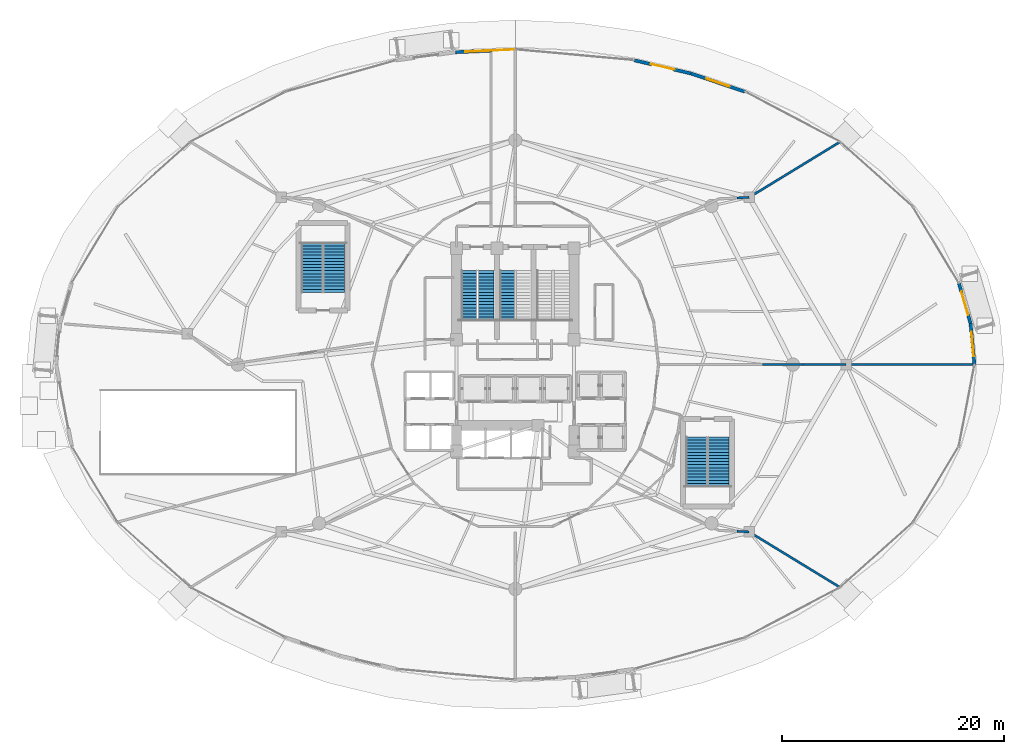
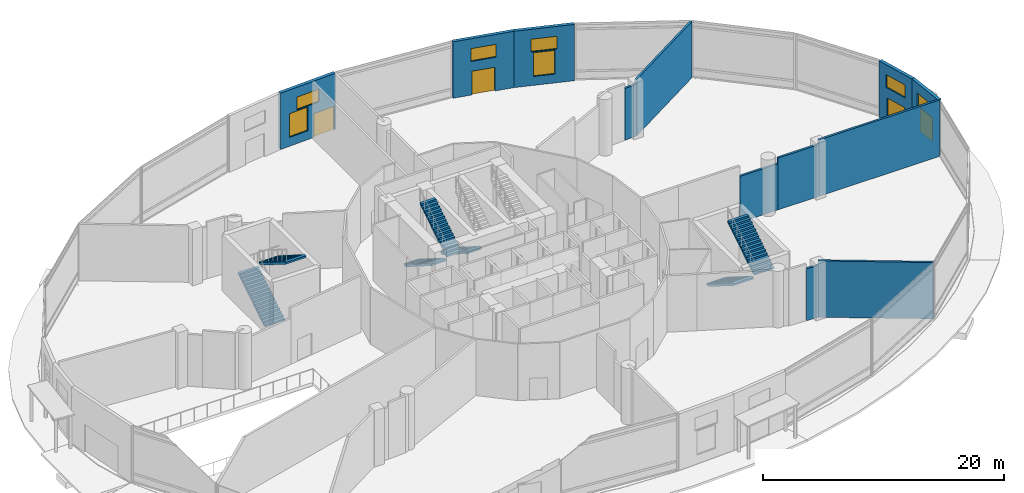
# One storey, part 35 of 40: 12 walls, 8 windows, 7 stair flights, 3 doors, 11 openings, 4 elements without a shape of their own.
"""IFC4 building model written with IfcOpenShell, lengths in metres."""

from ifc_helpers import new_model, si_unit, direction, frame, frame_2d, origin, place, context, subcontext, project, spatial, polyline, rectangle, outline, extrude, material, layer, layer_set, type_object, element, fill, aggregate, save


model = new_model("IFC4")

# Units and contexts
model_context = context("Model", 3, precision=1e-05, world=origin(), true_north=direction((0.0, 1.0)))
body_context = subcontext(model_context, "Body", "Model", "MODEL_VIEW")
ifc_project = project(units=[si_unit("LENGTHUNIT", "METRE"), si_unit("AREAUNIT", "SQUARE_METRE"), si_unit("VOLUMEUNIT", "CUBIC_METRE"), si_unit("PLANEANGLEUNIT", "RADIAN"), si_unit("MASSUNIT", "GRAM", prefix="KILO")], contexts=[model_context])

# Site, building, storey
site_placement = place(None, origin())
site = spatial("IfcSite", under=ifc_project, at=site_placement, CompositionType="ELEMENT")
building_placement = place(site_placement, origin())
building = spatial("IfcBuilding", under=site, at=building_placement, Name="Nuhasar Tower", CompositionType="ELEMENT")
storey_placement = place(building_placement, origin())
storey = spatial("IfcBuildingStorey", under=building, at=storey_placement, Name="L00", CompositionType="ELEMENT", Elevation=0.0)

# Wall, openings, windows
ifc_material_1 = material(Name="Concrete C45/55", Category="concrete")
ifc_layer_1 = layer(ifc_material_1, 0.239990234375)
ifc_material_2 = material(Name="Limestone Ashlar", Category="masonry")
ifc_layer_2 = layer(ifc_material_2, 0.06005859375)
ifc_layer_set_1 = layer_set([ifc_layer_1, ifc_layer_2], Name="Concrete C45/55")
wall_type_1 = type_object("IfcWallType", Name="WL-ARC-300", PredefinedType="STANDARD", material=ifc_layer_set_1)
wall_1_placement = place(storey_placement, frame((80.0849609375, 30.511962890625, 0.0), z_axis=(0.0, 0.0, 1.0), x_axis=(0.09519839492, -0.995458319371, 0.0)))
wall_1 = element("IfcWall", 1, at=wall_1_placement, inside=storey, type_object=wall_type_1, Name="L00 Limestone Arcade Spandrel Pier 01-1", PredefinedType="STANDARD", context=body_context, shape_type="SweptSolid", body=[
    extrude(rectangle(XDim=3.728759765625, YDim=0.300048828125, at=frame_2d((1.8642578125, 0.0))), origin(), (0.0, 0.0, 1.0), 5.699951171875),
])
opening_1_placement = place(wall_1_placement, frame((0.964111328125, 0.0, 0.89990234375)))
opening_1 = element("IfcOpeningElement", 2, at=opening_1_placement, cuts=wall_1, Name="Opening WX-01", PredefinedType="OPENING", context=body_context, shape_type="SweptSolid", body=[
    extrude(rectangle(XDim=1.800048828125, YDim=2.39990234375, at=frame_2d((0.89990234375, 1.199951171875))), frame((0.0, 0.16015625, 0.0), z_axis=(0.0, -1.0, 0.0), x_axis=(1.0, 0.0, 0.0)), (0.0, 0.0, 1.0), 0.320068359375),
])
opening_2_placement = place(wall_1_placement, frame((0.763916015625, 0.0, 3.39990234375)))
opening_2 = element("IfcOpeningElement", 3, at=opening_2_placement, cuts=wall_1, Name="Opening WX-03", PredefinedType="OPENING", context=body_context, shape_type="SweptSolid", body=[
    extrude(rectangle(XDim=2.199951171875, YDim=1.300048828125, at=frame_2d((1.10009765625, 0.64990234375))), frame((0.0, 0.16015625, 0.0), z_axis=(0.0, -1.0, 0.0), x_axis=(1.0, 0.0, 0.0)), (0.0, 0.0, 1.0), 0.320068359375),
])
ifc_material_3 = material(Name="Glass Double Low-E", Category="glass")
window_type_1 = type_object("IfcWindowType", Name="WIN-ARC-1800", PartitioningType="DOUBLE_PANEL_VERTICAL", PredefinedType="WINDOW", material=ifc_material_3)
window_1_placement = place(opening_1_placement, origin())
window_1 = element("IfcWindow", 4, at=window_1_placement, inside=storey, type_object=window_type_1, Name="L00 Arcade Vision Window 01", OverallHeight=2.39990234375, OverallWidth=1.800048828125, PartitioningType="DOUBLE_PANEL_VERTICAL", PredefinedType="WINDOW", context=body_context, shape_type="SweptSolid", body=[
    extrude(rectangle(XDim=1.800048828125, YDim=2.39990234375, at=frame_2d((0.89990234375, 1.199951171875))), frame((0.0, 0.030029296875, 0.0), z_axis=(0.0, -1.0, 0.0), x_axis=(1.0, 0.0, 0.0)), (0.0, 0.0, 1.0), 0.06005859375),
])
fill(opening_1, window_1)
window_type_2 = type_object("IfcWindowType", Name="WIN-CLER-2200", PartitioningType="DOUBLE_PANEL_HORIZONTAL", PredefinedType="WINDOW", material=ifc_material_3)
window_2_placement = place(opening_2_placement, origin())
window_2 = element("IfcWindow", 5, at=window_2_placement, inside=storey, type_object=window_type_2, Name="L00 Clerestory Light Window 01-1", OverallHeight=1.300048828125, OverallWidth=2.199951171875, PartitioningType="DOUBLE_PANEL_HORIZONTAL", PredefinedType="WINDOW", context=body_context, shape_type="SweptSolid", body=[
    extrude(rectangle(XDim=2.199951171875, YDim=1.300048828125, at=frame_2d((1.10009765625, 0.64990234375))), frame((0.0, 0.030029296875, 0.0), z_axis=(0.0, -1.0, 0.0), x_axis=(1.0, 0.0, 0.0)), (0.0, 0.0, 1.0), 0.06005859375),
])
fill(opening_2, window_2)

# Wall, openings, door, window
wall_2_placement = place(storey_placement, frame((79.028076171875, 34.160888671875, 0.0), z_axis=(0.0, 0.0, 1.0), x_axis=(0.278207876785, -0.960520888526, 0.0)))
wall_2 = element("IfcWall", 6, at=wall_2_placement, inside=storey, type_object=wall_type_1, Name="L00 Limestone Arcade Spandrel Pier 01-2", PredefinedType="STANDARD", context=body_context, shape_type="SweptSolid", body=[
    extrude(rectangle(XDim=3.798828125, YDim=0.300048828125, at=frame_2d((1.8994140625, 0.0))), origin(), (0.0, 0.0, 1.0), 5.699951171875),
])
opening_3_placement = place(wall_2_placement, frame((0.89990234375, 0.0, 0.0)))
opening_3 = element("IfcOpeningElement", 7, at=opening_3_placement, cuts=wall_2, Name="Opening DX-01", PredefinedType="OPENING", context=body_context, shape_type="SweptSolid", body=[
    extrude(rectangle(XDim=2.0, YDim=2.39990234375, at=frame_2d((1.0, 1.199951171875))), frame((0.0, 0.16015625, 0.0), z_axis=(0.0, -1.0, 0.0), x_axis=(1.0, 0.0, 0.0)), (0.0, 0.0, 1.0), 0.320068359375),
])
opening_4_placement = place(wall_2_placement, frame((0.800048828125, 0.0, 3.39990234375)))
opening_4 = element("IfcOpeningElement", 8, at=opening_4_placement, cuts=wall_2, Name="Opening WX-03", PredefinedType="OPENING", context=body_context, shape_type="SweptSolid", body=[
    extrude(rectangle(XDim=2.199951171875, YDim=1.300048828125, at=frame_2d((1.10009765625, 0.64990234375))), frame((0.0, 0.16015625, 0.0), z_axis=(0.0, -1.0, 0.0), x_axis=(1.0, 0.0, 0.0)), (0.0, 0.0, 1.0), 0.320068359375),
])
ifc_material_4 = material(Name="Aluminium 6063-T6", Category="aluminium")
door_type = type_object("IfcDoorType", Name="DR-EXT-2000", OperationType="DOUBLE_DOOR_SINGLE_SWING", PredefinedType="DOOR", material=ifc_material_4)
door_1_placement = place(opening_3_placement, origin())
door_1 = element("IfcDoor", 9, at=door_1_placement, inside=storey, type_object=door_type, Name="L00 Main Plaza Entrance Portal 01", OperationType="DOUBLE_DOOR_SINGLE_SWING", OverallHeight=2.39990234375, OverallWidth=2.0, PredefinedType="DOOR", context=body_context, shape_type="SweptSolid", body=[
    extrude(rectangle(XDim=2.0, YDim=2.39990234375, at=frame_2d((1.0, 1.199951171875))), frame((0.0, 0.02490234375, 0.0), z_axis=(0.0, -1.0, 0.0), x_axis=(1.0, 0.0, 0.0)), (0.0, 0.0, 1.0), 0.050048828125),
])
fill(opening_3, door_1)
window_3_placement = place(opening_4_placement, origin())
window_3 = element("IfcWindow", 10, at=window_3_placement, inside=storey, type_object=window_type_2, Name="L00 Clerestory Light Window 01-2", OverallHeight=1.300048828125, OverallWidth=2.199951171875, PartitioningType="DOUBLE_PANEL_HORIZONTAL", PredefinedType="WINDOW", context=body_context, shape_type="SweptSolid", body=[
    extrude(rectangle(XDim=2.199951171875, YDim=1.300048828125, at=frame_2d((1.10009765625, 0.64990234375))), frame((0.0, 0.030029296875, 0.0), z_axis=(0.0, -1.0, 0.0), x_axis=(1.0, 0.0, 0.0)), (0.0, 0.0, 1.0), 0.06005859375),
])
fill(opening_4, window_3)

# Wall, openings, windows
wall_3_placement = place(storey_placement, frame((54.85791015625, 53.074951171875, 0.0), z_axis=(0.0, 0.0, 1.0), x_axis=(0.947251518608, -0.320491123895, 0.0)))
wall_3 = element("IfcWall", 11, at=wall_3_placement, inside=storey, type_object=wall_type_1, Name="L00 Limestone Arcade Spandrel Pier 05-1", PredefinedType="STANDARD", context=body_context, shape_type="SweptSolid", body=[
    extrude(rectangle(XDim=5.1328125, YDim=0.300048828125, at=frame_2d((2.56640625, 0.0))), origin(), (0.0, 0.0, 1.0), 5.699951171875),
])
opening_5_placement = place(wall_3_placement, frame((1.666015625, 0.0, 0.89990234375)))
opening_5 = element("IfcOpeningElement", 12, at=opening_5_placement, cuts=wall_3, Name="Opening WX-01", PredefinedType="OPENING", context=body_context, shape_type="SweptSolid", body=[
    extrude(rectangle(XDim=1.800048828125, YDim=2.39990234375, at=frame_2d((0.89990234375, 1.199951171875))), frame((0.0, 0.16015625, 0.0), z_axis=(0.0, -1.0, 0.0), x_axis=(1.0, 0.0, 0.0)), (0.0, 0.0, 1.0), 0.320068359375),
])
opening_6_placement = place(wall_3_placement, frame((1.466064453125, 0.0, 3.39990234375)))
opening_6 = element("IfcOpeningElement", 13, at=opening_6_placement, cuts=wall_3, Name="Opening WX-03", PredefinedType="OPENING", context=body_context, shape_type="SweptSolid", body=[
    extrude(rectangle(XDim=2.199951171875, YDim=1.300048828125, at=frame_2d((1.10009765625, 0.64990234375))), frame((0.0, 0.16015625, 0.0), z_axis=(0.0, -1.0, 0.0), x_axis=(1.0, 0.0, 0.0)), (0.0, 0.0, 1.0), 0.320068359375),
])
window_4_placement = place(opening_5_placement, origin())
window_4 = element("IfcWindow", 14, at=window_4_placement, inside=storey, type_object=window_type_1, Name="L00 Arcade Vision Window 05", OverallHeight=2.39990234375, OverallWidth=1.800048828125, PartitioningType="DOUBLE_PANEL_VERTICAL", PredefinedType="WINDOW", context=body_context, shape_type="SweptSolid", body=[
    extrude(rectangle(XDim=1.800048828125, YDim=2.39990234375, at=frame_2d((0.89990234375, 1.199951171875))), frame((0.0, 0.030029296875, 0.0), z_axis=(0.0, -1.0, 0.0), x_axis=(1.0, 0.0, 0.0)), (0.0, 0.0, 1.0), 0.06005859375),
])
fill(opening_5, window_4)
window_5_placement = place(opening_6_placement, origin())
window_5 = element("IfcWindow", 15, at=window_5_placement, inside=storey, type_object=window_type_2, Name="L00 Clerestory Light Window 05-1", OverallHeight=1.300048828125, OverallWidth=2.199951171875, PartitioningType="DOUBLE_PANEL_HORIZONTAL", PredefinedType="WINDOW", context=body_context, shape_type="SweptSolid", body=[
    extrude(rectangle(XDim=2.199951171875, YDim=1.300048828125, at=frame_2d((1.10009765625, 0.64990234375))), frame((0.0, 0.030029296875, 0.0), z_axis=(0.0, -1.0, 0.0), x_axis=(1.0, 0.0, 0.0)), (0.0, 0.0, 1.0), 0.06005859375),
])
fill(opening_6, window_5)

# Wall, openings, door, window
wall_4_placement = place(storey_placement, frame((49.72509765625, 54.27099609375, 0.0), z_axis=(0.0, 0.0, 1.0), x_axis=(0.973908821588, -0.226939655487, 0.0)))
wall_4 = element("IfcWall", 16, at=wall_4_placement, inside=storey, type_object=wall_type_1, Name="L00 Limestone Arcade Spandrel Pier 05-2", PredefinedType="STANDARD", context=body_context, shape_type="SweptSolid", body=[
    extrude(rectangle(XDim=5.270263671875, YDim=0.300048828125, at=frame_2d((2.63525390625, 0.0))), origin(), (0.0, 0.0, 1.0), 5.699951171875),
])
opening_7_placement = place(wall_4_placement, frame((1.635009765625, 0.0, 0.0)))
opening_7 = element("IfcOpeningElement", 17, at=opening_7_placement, cuts=wall_4, Name="Opening DX-01", PredefinedType="OPENING", context=body_context, shape_type="SweptSolid", body=[
    extrude(rectangle(XDim=2.0, YDim=2.39990234375, at=frame_2d((1.0, 1.199951171875))), frame((0.0, 0.16015625, 0.0), z_axis=(0.0, -1.0, 0.0), x_axis=(1.0, 0.0, 0.0)), (0.0, 0.0, 1.0), 0.320068359375),
])
opening_8_placement = place(wall_4_placement, frame((1.534912109375, 0.0, 3.39990234375)))
opening_8 = element("IfcOpeningElement", 18, at=opening_8_placement, cuts=wall_4, Name="Opening WX-03", PredefinedType="OPENING", context=body_context, shape_type="SweptSolid", body=[
    extrude(rectangle(XDim=2.199951171875, YDim=1.300048828125, at=frame_2d((1.10009765625, 0.64990234375))), frame((0.0, 0.16015625, 0.0), z_axis=(0.0, -1.0, 0.0), x_axis=(1.0, 0.0, 0.0)), (0.0, 0.0, 1.0), 0.320068359375),
])
door_2_placement = place(opening_7_placement, origin())
door_2 = element("IfcDoor", 19, at=door_2_placement, inside=storey, type_object=door_type, Name="L00 Main Plaza Entrance Portal 05", OperationType="DOUBLE_DOOR_SINGLE_SWING", OverallHeight=2.39990234375, OverallWidth=2.0, PredefinedType="DOOR", context=body_context, shape_type="SweptSolid", body=[
    extrude(rectangle(XDim=2.0, YDim=2.39990234375, at=frame_2d((1.0, 1.199951171875))), frame((0.0, 0.02490234375, 0.0), z_axis=(0.0, -1.0, 0.0), x_axis=(1.0, 0.0, 0.0)), (0.0, 0.0, 1.0), 0.050048828125),
])
fill(opening_7, door_2)
window_6_placement = place(opening_8_placement, origin())
window_6 = element("IfcWindow", 20, at=window_6_placement, inside=storey, type_object=window_type_2, Name="L00 Clerestory Light Window 05-2", OverallHeight=1.300048828125, OverallWidth=2.199951171875, PartitioningType="DOUBLE_PANEL_HORIZONTAL", PredefinedType="WINDOW", context=body_context, shape_type="SweptSolid", body=[
    extrude(rectangle(XDim=2.199951171875, YDim=1.300048828125, at=frame_2d((1.10009765625, 0.64990234375))), frame((0.0, 0.030029296875, 0.0), z_axis=(0.0, -1.0, 0.0), x_axis=(1.0, 0.0, 0.0)), (0.0, 0.0, 1.0), 0.06005859375),
])
fill(opening_8, window_6)

# Wall, openings, door, windows
wall_5_placement = place(storey_placement, frame((33.591064453125, 54.9970703125, 0.0), z_axis=(0.0, 0.0, 1.0), x_axis=(0.998993030562, 0.044865631479, 0.0)))
wall_5 = element("IfcWall", 21, at=wall_5_placement, inside=storey, type_object=wall_type_1, Name="L00 Limestone Arcade Spandrel Pier 07-1", PredefinedType="STANDARD", context=body_context, shape_type="SweptSolid", body=[
    extrude(rectangle(XDim=5.414306640625, YDim=0.300048828125, at=frame_2d((2.70703125, 0.0))), origin(), (0.0, 0.0, 1.0), 5.699951171875),
])
opening_9_placement = place(wall_5_placement, frame((0.89990234375, 0.0, 0.89990234375)))
opening_9 = element("IfcOpeningElement", 22, at=opening_9_placement, cuts=wall_5, Name="Opening WX-01", PredefinedType="OPENING", context=body_context, shape_type="SweptSolid", body=[
    extrude(rectangle(XDim=1.800048828125, YDim=2.39990234375, at=frame_2d((0.89990234375, 1.199951171875))), frame((0.0, 0.16015625, 0.0), z_axis=(0.0, -1.0, 0.0), x_axis=(1.0, 0.0, 0.0)), (0.0, 0.0, 1.0), 0.320068359375),
])
opening_10_placement = place(wall_5_placement, frame((3.31201171875, 0.0, 0.0)))
opening_10 = element("IfcOpeningElement", 23, at=opening_10_placement, cuts=wall_5, Name="Opening DX-01", PredefinedType="OPENING", context=body_context, shape_type="SweptSolid", body=[
    extrude(rectangle(XDim=2.0, YDim=2.39990234375, at=frame_2d((1.0, 1.199951171875))), frame((0.0, 0.16015625, 0.0), z_axis=(0.0, -1.0, 0.0), x_axis=(1.0, 0.0, 0.0)), (0.0, 0.0, 1.0), 0.320068359375),
])
opening_11_placement = place(wall_5_placement, frame((1.60693359375, 0.0, 3.39990234375)))
opening_11 = element("IfcOpeningElement", 24, at=opening_11_placement, cuts=wall_5, Name="Opening WX-03", PredefinedType="OPENING", context=body_context, shape_type="SweptSolid", body=[
    extrude(rectangle(XDim=2.199951171875, YDim=1.300048828125, at=frame_2d((1.10009765625, 0.64990234375))), frame((0.0, 0.16015625, 0.0), z_axis=(0.0, -1.0, 0.0), x_axis=(1.0, 0.0, 0.0)), (0.0, 0.0, 1.0), 0.320068359375),
])
door_3_placement = place(opening_10_placement, origin())
door_3 = element("IfcDoor", 25, at=door_3_placement, inside=storey, type_object=door_type, Name="L00 North Exit Passage Discharge Door", OperationType="DOUBLE_DOOR_SINGLE_SWING", OverallHeight=2.39990234375, OverallWidth=2.0, PredefinedType="DOOR", context=body_context, shape_type="SweptSolid", body=[
    extrude(rectangle(XDim=2.0, YDim=2.39990234375, at=frame_2d((1.0, 1.199951171875))), frame((0.0, 0.02490234375, 0.0), z_axis=(0.0, -1.0, 0.0), x_axis=(1.0, 0.0, 0.0)), (0.0, 0.0, 1.0), 0.050048828125),
])
fill(opening_10, door_3)
window_7_placement = place(opening_9_placement, origin())
window_7 = element("IfcWindow", 26, at=window_7_placement, inside=storey, type_object=window_type_1, Name="L00 Arcade Vision Window 07", OverallHeight=2.39990234375, OverallWidth=1.800048828125, PartitioningType="DOUBLE_PANEL_VERTICAL", PredefinedType="WINDOW", context=body_context, shape_type="SweptSolid", body=[
    extrude(rectangle(XDim=1.800048828125, YDim=2.39990234375, at=frame_2d((0.89990234375, 1.199951171875))), frame((0.0, 0.030029296875, 0.0), z_axis=(0.0, -1.0, 0.0), x_axis=(1.0, 0.0, 0.0)), (0.0, 0.0, 1.0), 0.06005859375),
])
fill(opening_9, window_7)
window_8_placement = place(opening_11_placement, origin())
window_8 = element("IfcWindow", 27, at=window_8_placement, inside=storey, type_object=window_type_2, Name="L00 Clerestory Light Window 07-1", OverallHeight=1.300048828125, OverallWidth=2.199951171875, PartitioningType="DOUBLE_PANEL_HORIZONTAL", PredefinedType="WINDOW", context=body_context, shape_type="SweptSolid", body=[
    extrude(rectangle(XDim=2.199951171875, YDim=1.300048828125, at=frame_2d((1.10009765625, 0.64990234375))), frame((0.0, 0.030029296875, 0.0), z_axis=(0.0, -1.0, 0.0), x_axis=(1.0, 0.0, 0.0)), (0.0, 0.0, 1.0), 0.06005859375),
])
fill(opening_11, window_8)

# Walls
ifc_material_5 = material(Name="Concrete C40/50 precast", Category="concrete")
ifc_layer_3 = layer(ifc_material_5, 0.199951171875)
ifc_layer_set_2 = layer_set([ifc_layer_3], Name="Concrete C40/50 precast")
wall_type_2 = type_object("IfcWallType", Name="WL-UNIT-200", PredefinedType="PARTITIONING", material=ifc_layer_set_2)
wall_6_placement = place(storey_placement, frame((61.31689453125, 26.800048828125, 0.0), z_axis=(0.0, 0.0, 1.0), x_axis=(1.0, 0.0, 0.0)))
element("IfcWall", 28, at=wall_6_placement, inside=storey, type_object=wall_type_2, Name="L00 Interior Partition PRAD-00-S2", PredefinedType="PARTITIONING", context=body_context, shape_type="SweptSolid", body=[
    extrude(rectangle(XDim=3.633056640625, YDim=0.199951171875, at=frame_2d((1.81640625, 0.0))), origin(), (0.0, 0.0, 1.0), 4.659912109375),
])
wall_7_placement = place(storey_placement, frame((64.949951171875, 26.800048828125, 0.0), z_axis=(0.0, 0.0, 1.0), x_axis=(1.0, 0.0, 0.0)))
element("IfcWall", 29, at=wall_7_placement, inside=storey, type_object=wall_type_2, Name="L00 Interior Partition PRAD-00-S3", PredefinedType="PARTITIONING", context=body_context, shape_type="SweptSolid", body=[
    extrude(rectangle(XDim=3.900146484375, YDim=0.199951171875, at=frame_2d((1.9501953125, 0.0))), origin(), (0.0, 0.0, 1.0), 5.239990234375),
])
wall_8_placement = place(storey_placement, frame((68.85009765625, 26.800048828125, 0.0), z_axis=(0.0, 0.0, 1.0), x_axis=(1.0, 0.0, 0.0)))
element("IfcWall", 30, at=wall_8_placement, inside=storey, type_object=wall_type_2, Name="L00 Interior Partition PRAD-00-S4", PredefinedType="PARTITIONING", context=body_context, shape_type="SweptSolid", body=[
    extrude(rectangle(XDim=11.554931640625, YDim=0.199951171875, at=frame_2d((5.77734375, 0.0))), origin(), (0.0, 0.0, 1.0), 5.699951171875),
])
wall_9_placement = place(storey_placement, frame((58.989990234375, 41.839111328125, 0.0), z_axis=(0.0, 0.0, 1.0), x_axis=(0.998660904733, 0.051733909163, 0.0)))
element("IfcWall", 31, at=wall_9_placement, inside=storey, type_object=wall_type_2, Name="L00 Interior Partition PRAD-06-S2", PredefinedType="PARTITIONING", context=body_context, shape_type="SweptSolid", body=[
    extrude(rectangle(XDim=1.118408203125, YDim=0.199951171875, at=frame_2d((0.55908203125, 0.0))), origin(), (0.0, 0.0, 1.0), 5.239990234375),
])
wall_10_placement = place(storey_placement, frame((60.10693359375, 41.89697265625, 0.0), z_axis=(0.0, 0.0, 1.0), x_axis=(0.853534520774, 0.521036296093, 0.0)))
element("IfcWall", 32, at=wall_10_placement, inside=storey, type_object=wall_type_2, Name="L00 Interior Partition PRAD-06-S3", PredefinedType="PARTITIONING", context=body_context, shape_type="SweptSolid", body=[
    extrude(rectangle(XDim=9.5732421875, YDim=0.199951171875, at=frame_2d((4.78662109375, 0.0))), origin(), (0.0, 0.0, 1.0), 5.699951171875),
])
wall_11_placement = place(storey_placement, frame((58.989990234375, 11.760986328125, 0.0), z_axis=(0.0, 0.0, 1.0), x_axis=(0.998649603439, -0.051951607785, 0.0)))
element("IfcWall", 33, at=wall_11_placement, inside=storey, type_object=wall_type_2, Name="L00 Interior Partition PRAD-42-S3", PredefinedType="PARTITIONING", context=body_context, shape_type="SweptSolid", body=[
    extrude(rectangle(XDim=1.118408203125, YDim=0.199951171875, at=frame_2d((0.55908203125, 0.0))), origin(), (0.0, 0.0, 1.0), 5.239990234375),
])
wall_12_placement = place(storey_placement, frame((60.10693359375, 11.702880859375, 0.0), z_axis=(0.0, 0.0, 1.0), x_axis=(0.853545862143, -0.5210177168, 0.0)))
element("IfcWall", 34, at=wall_12_placement, inside=storey, type_object=wall_type_2, Name="L00 Interior Partition PRAD-42-S4", PredefinedType="PARTITIONING", context=body_context, shape_type="SweptSolid", body=[
    extrude(rectangle(XDim=9.5732421875, YDim=0.199951171875, at=frame_2d((4.78662109375, 0.0))), origin(), (0.0, 0.0, 1.0), 5.699951171875),
])

# Stair, stair flights
stair_type_1 = type_object("IfcStairType", Name="STR-ST-01-2F-34R-1765", PredefinedType="HALF_TURN_STAIR", material=ifc_material_1)
stair_1_placement = place(storey_placement, origin())
stair_1 = element("IfcStair", 35, at=stair_1_placement, inside=storey, type_object=stair_type_1, Name="L00 Exit Stair ST-01", PredefinedType="HALF_TURN_STAIR")
stair_flight_type_1 = type_object("IfcStairFlightType", Name="SFL-ST-01-17R-1765", PredefinedType="STRAIGHT", material=ifc_material_1)
stair_flight_1_placement = place(storey_placement, frame((34.830078125, 35.284912109375, 0.0), z_axis=(0.0, 0.0, 1.0), x_axis=(0.0, -1.0, 0.0)))
stair_flight_1 = element("IfcStairFlight", 36, at=stair_flight_1_placement, type_object=stair_flight_type_1, Name="ST-01 flight 1", NumberOfRisers=17, NumberOfTreads=16, PredefinedType="STRAIGHT", RiserHeight=0.176471, TreadLength=0.28, context=body_context, shape_type="SweptSolid", body=[
    extrude(outline(polyline([(0.0, 0.0), (0.0, 0.176513671875), (0.280029296875, 0.176513671875), (0.280029296875, 0.35302734375), (0.56005859375, 0.35302734375), (0.56005859375, 0.529296875), (0.840087890625, 0.529296875), (0.840087890625, 0.705810546875), (1.1201171875, 0.705810546875), (1.1201171875, 0.88232421875), (1.39990234375, 0.88232421875), (1.39990234375, 1.058837890625), (1.679931640625, 1.058837890625), (1.679931640625, 1.2353515625), (1.9599609375, 1.2353515625), (1.9599609375, 1.411865234375), (2.239990234375, 1.411865234375), (2.239990234375, 1.588134765625), (2.52001953125, 1.588134765625), (2.52001953125, 1.7646484375), (2.800048828125, 1.7646484375), (2.800048828125, 1.941162109375), (3.080078125, 1.941162109375), (3.080078125, 2.11767578125), (3.360107421875, 2.11767578125), (3.360107421875, 2.294189453125), (3.639892578125, 2.294189453125), (3.639892578125, 2.470703125), (3.919921875, 2.470703125), (3.919921875, 2.64697265625), (4.199951171875, 2.64697265625), (4.199951171875, 2.823486328125), (4.47998046875, 2.823486328125), (4.47998046875, 3.0), (4.47998046875, 2.634521484375), (0.2998046875, 0.0), (0.0, 0.0)])), frame((0.0, 0.7099609375, 0.0), z_axis=(0.0, -1.0, 0.0), x_axis=(1.0, 0.0, 0.0)), (0.0, 0.0, 1.0), 1.419921875),
])
stair_flight_2_placement = place(storey_placement, frame((36.35009765625, 30.804931640625, 3.0), z_axis=(0.0, 0.0, 1.0), x_axis=(0.0, 1.0, 0.0)))
stair_flight_2 = element("IfcStairFlight", 37, at=stair_flight_2_placement, type_object=stair_flight_type_1, Name="ST-01 flight 2", NumberOfRisers=17, NumberOfTreads=16, PredefinedType="STRAIGHT", RiserHeight=0.176471, TreadLength=0.28, context=body_context, shape_type="SweptSolid", body=[
    extrude(outline(polyline([(0.0, 0.0), (0.0, 0.176513671875), (0.280029296875, 0.176513671875), (0.280029296875, 0.35302734375), (0.56005859375, 0.35302734375), (0.56005859375, 0.529296875), (0.840087890625, 0.529296875), (0.840087890625, 0.705810546875), (1.1201171875, 0.705810546875), (1.1201171875, 0.88232421875), (1.39990234375, 0.88232421875), (1.39990234375, 1.058837890625), (1.679931640625, 1.058837890625), (1.679931640625, 1.2353515625), (1.9599609375, 1.2353515625), (1.9599609375, 1.411865234375), (2.239990234375, 1.411865234375), (2.239990234375, 1.588134765625), (2.52001953125, 1.588134765625), (2.52001953125, 1.7646484375), (2.800048828125, 1.7646484375), (2.800048828125, 1.941162109375), (3.080078125, 1.941162109375), (3.080078125, 2.11767578125), (3.360107421875, 2.11767578125), (3.360107421875, 2.294189453125), (3.639892578125, 2.294189453125), (3.639892578125, 2.470703125), (3.919921875, 2.470703125), (3.919921875, 2.64697265625), (4.199951171875, 2.64697265625), (4.199951171875, 2.823486328125), (4.47998046875, 2.823486328125), (4.47998046875, 3.0), (4.47998046875, 2.634521484375), (0.2998046875, 0.0), (0.0, 0.0)])), frame((0.0, 0.7099609375, 0.0), z_axis=(0.0, -1.0, 0.0), x_axis=(1.0, 0.0, 0.0)), (0.0, 0.0, 1.0), 1.419921875),
])
aggregate(stair_1, [stair_flight_1, stair_flight_2])

# Stair, stair flight
stair_type_2 = type_object("IfcStairType", Name="STR-ST-03-2F-34R-1765", PredefinedType="HALF_TURN_STAIR", material=ifc_material_1)
stair_2_placement = place(storey_placement, origin())
stair_2 = element("IfcStair", 38, at=stair_2_placement, inside=storey, type_object=stair_type_2, Name="L00 Exit Stair ST-03", PredefinedType="HALF_TURN_STAIR")
stair_flight_type_2 = type_object("IfcStairFlightType", Name="SFL-ST-03-17R-1765", PredefinedType="STRAIGHT", material=ifc_material_1)
stair_flight_3_placement = place(storey_placement, frame((38.280029296875, 35.284912109375, 0.0), z_axis=(0.0, 0.0, 1.0), x_axis=(0.0, -1.0, 0.0)))
stair_flight_3 = element("IfcStairFlight", 39, at=stair_flight_3_placement, type_object=stair_flight_type_2, Name="ST-03 flight 1", NumberOfRisers=17, NumberOfTreads=16, PredefinedType="STRAIGHT", RiserHeight=0.176471, TreadLength=0.28, context=body_context, shape_type="SweptSolid", body=[
    extrude(outline(polyline([(0.0, 0.0), (0.0, 0.176513671875), (0.280029296875, 0.176513671875), (0.280029296875, 0.35302734375), (0.56005859375, 0.35302734375), (0.56005859375, 0.529296875), (0.840087890625, 0.529296875), (0.840087890625, 0.705810546875), (1.1201171875, 0.705810546875), (1.1201171875, 0.88232421875), (1.39990234375, 0.88232421875), (1.39990234375, 1.058837890625), (1.679931640625, 1.058837890625), (1.679931640625, 1.2353515625), (1.9599609375, 1.2353515625), (1.9599609375, 1.411865234375), (2.239990234375, 1.411865234375), (2.239990234375, 1.588134765625), (2.52001953125, 1.588134765625), (2.52001953125, 1.7646484375), (2.800048828125, 1.7646484375), (2.800048828125, 1.941162109375), (3.080078125, 1.941162109375), (3.080078125, 2.11767578125), (3.360107421875, 2.11767578125), (3.360107421875, 2.294189453125), (3.639892578125, 2.294189453125), (3.639892578125, 2.470703125), (3.919921875, 2.470703125), (3.919921875, 2.64697265625), (4.199951171875, 2.64697265625), (4.199951171875, 2.823486328125), (4.47998046875, 2.823486328125), (4.47998046875, 3.0), (4.47998046875, 2.634521484375), (0.2998046875, 0.0), (0.0, 0.0)])), frame((0.0, 0.669921875, 0.0), z_axis=(0.0, -1.0, 0.0), x_axis=(1.0, 0.0, 0.0)), (0.0, 0.0, 1.0), 1.340087890625),
])
aggregate(stair_2, [stair_flight_3])

# Stair, stair flights
stair_type_3 = type_object("IfcStairType", Name="STR-ST-04-2F-34R-1765", PredefinedType="HALF_TURN_STAIR", material=ifc_material_1)
stair_3_placement = place(storey_placement, origin())
stair_3 = element("IfcStair", 40, at=stair_3_placement, inside=storey, type_object=stair_type_3, Name="L00 Exit Stair ST-04", PredefinedType="HALF_TURN_STAIR")
stair_flight_type_3 = type_object("IfcStairFlightType", Name="SFL-ST-04-17R-1765", PredefinedType="STRAIGHT", material=ifc_material_1)
stair_flight_4_placement = place(storey_placement, frame((20.64990234375, 33.31494140625, 0.0), z_axis=(0.0, 0.0, 1.0), x_axis=(0.0, 1.0, 0.0)))
stair_flight_4 = element("IfcStairFlight", 41, at=stair_flight_4_placement, type_object=stair_flight_type_3, Name="ST-04 flight 1", NumberOfRisers=17, NumberOfTreads=16, PredefinedType="STRAIGHT", RiserHeight=0.176471, TreadLength=0.28, context=body_context, shape_type="SweptSolid", body=[
    extrude(outline(polyline([(0.0, 0.0), (0.0, 0.176513671875), (0.280029296875, 0.176513671875), (0.280029296875, 0.35302734375), (0.56005859375, 0.35302734375), (0.56005859375, 0.529296875), (0.840087890625, 0.529296875), (0.840087890625, 0.705810546875), (1.1201171875, 0.705810546875), (1.1201171875, 0.88232421875), (1.39990234375, 0.88232421875), (1.39990234375, 1.058837890625), (1.679931640625, 1.058837890625), (1.679931640625, 1.2353515625), (1.9599609375, 1.2353515625), (1.9599609375, 1.411865234375), (2.239990234375, 1.411865234375), (2.239990234375, 1.588134765625), (2.52001953125, 1.588134765625), (2.52001953125, 1.7646484375), (2.800048828125, 1.7646484375), (2.800048828125, 1.941162109375), (3.080078125, 1.941162109375), (3.080078125, 2.11767578125), (3.360107421875, 2.11767578125), (3.360107421875, 2.294189453125), (3.639892578125, 2.294189453125), (3.639892578125, 2.470703125), (3.919921875, 2.470703125), (3.919921875, 2.64697265625), (4.199951171875, 2.64697265625), (4.199951171875, 2.823486328125), (4.47998046875, 2.823486328125), (4.47998046875, 3.0), (4.47998046875, 2.634521484375), (0.2998046875, 0.0), (0.0, 0.0)])), frame((0.0, 0.949951171875, 0.0), z_axis=(0.0, -1.0, 0.0), x_axis=(1.0, 0.0, 0.0)), (0.0, 0.0, 1.0), 1.89990234375),
])
stair_flight_5_placement = place(storey_placement, frame((22.64990234375, 37.794921875, 3.0), z_axis=(0.0, 0.0, 1.0), x_axis=(0.0, -1.0, 0.0)))
stair_flight_5 = element("IfcStairFlight", 42, at=stair_flight_5_placement, type_object=stair_flight_type_3, Name="ST-04 flight 2", NumberOfRisers=17, NumberOfTreads=16, PredefinedType="STRAIGHT", RiserHeight=0.176471, TreadLength=0.28, context=body_context, shape_type="SweptSolid", body=[
    extrude(outline(polyline([(0.0, 0.0), (0.0, 0.176513671875), (0.280029296875, 0.176513671875), (0.280029296875, 0.35302734375), (0.56005859375, 0.35302734375), (0.56005859375, 0.529296875), (0.840087890625, 0.529296875), (0.840087890625, 0.705810546875), (1.1201171875, 0.705810546875), (1.1201171875, 0.88232421875), (1.39990234375, 0.88232421875), (1.39990234375, 1.058837890625), (1.679931640625, 1.058837890625), (1.679931640625, 1.2353515625), (1.9599609375, 1.2353515625), (1.9599609375, 1.411865234375), (2.239990234375, 1.411865234375), (2.239990234375, 1.588134765625), (2.52001953125, 1.588134765625), (2.52001953125, 1.7646484375), (2.800048828125, 1.7646484375), (2.800048828125, 1.941162109375), (3.080078125, 1.941162109375), (3.080078125, 2.11767578125), (3.360107421875, 2.11767578125), (3.360107421875, 2.294189453125), (3.639892578125, 2.294189453125), (3.639892578125, 2.470703125), (3.919921875, 2.470703125), (3.919921875, 2.64697265625), (4.199951171875, 2.64697265625), (4.199951171875, 2.823486328125), (4.47998046875, 2.823486328125), (4.47998046875, 3.0), (4.47998046875, 2.634521484375), (0.2998046875, 0.0), (0.0, 0.0)])), frame((0.0, 0.949951171875, 0.0), z_axis=(0.0, -1.0, 0.0), x_axis=(1.0, 0.0, 0.0)), (0.0, 0.0, 1.0), 1.89990234375),
])
aggregate(stair_3, [stair_flight_4, stair_flight_5])

stair_type_4 = type_object("IfcStairType", Name="STR-ST-05-2F-34R-1765", PredefinedType="HALF_TURN_STAIR", material=ifc_material_1)
stair_4_placement = place(storey_placement, origin())
stair_4 = element("IfcStair", 43, at=stair_4_placement, inside=storey, type_object=stair_type_4, Name="L00 Exit Stair ST-05", PredefinedType="HALF_TURN_STAIR")
stair_flight_type_4 = type_object("IfcStairFlightType", Name="SFL-ST-05-17R-1765", PredefinedType="STRAIGHT", material=ifc_material_1)
stair_flight_6_placement = place(storey_placement, frame((55.35009765625, 20.284912109375, 0.0), z_axis=(0.0, 0.0, 1.0), x_axis=(0.0, -1.0, 0.0)))
stair_flight_6 = element("IfcStairFlight", 44, at=stair_flight_6_placement, type_object=stair_flight_type_4, Name="ST-05 flight 1", NumberOfRisers=17, NumberOfTreads=16, PredefinedType="STRAIGHT", RiserHeight=0.176471, TreadLength=0.28, context=body_context, shape_type="SweptSolid", body=[
    extrude(outline(polyline([(0.0, 0.0), (0.0, 0.176513671875), (0.280029296875, 0.176513671875), (0.280029296875, 0.35302734375), (0.56005859375, 0.35302734375), (0.56005859375, 0.529296875), (0.840087890625, 0.529296875), (0.840087890625, 0.705810546875), (1.1201171875, 0.705810546875), (1.1201171875, 0.88232421875), (1.39990234375, 0.88232421875), (1.39990234375, 1.058837890625), (1.679931640625, 1.058837890625), (1.679931640625, 1.2353515625), (1.9599609375, 1.2353515625), (1.9599609375, 1.411865234375), (2.239990234375, 1.411865234375), (2.239990234375, 1.588134765625), (2.52001953125, 1.588134765625), (2.52001953125, 1.7646484375), (2.800048828125, 1.7646484375), (2.800048828125, 1.941162109375), (3.080078125, 1.941162109375), (3.080078125, 2.11767578125), (3.360107421875, 2.11767578125), (3.360107421875, 2.294189453125), (3.639892578125, 2.294189453125), (3.639892578125, 2.470703125), (3.919921875, 2.470703125), (3.919921875, 2.64697265625), (4.199951171875, 2.64697265625), (4.199951171875, 2.823486328125), (4.47998046875, 2.823486328125), (4.47998046875, 3.0), (4.47998046875, 2.634521484375), (0.2998046875, 0.0), (0.0, 0.0)])), frame((0.0, 0.949951171875, 0.0), z_axis=(0.0, -1.0, 0.0), x_axis=(1.0, 0.0, 0.0)), (0.0, 0.0, 1.0), 1.89990234375),
])
stair_flight_7_placement = place(storey_placement, frame((57.35009765625, 15.804931640625, 3.0), z_axis=(0.0, 0.0, 1.0), x_axis=(0.0, 1.0, 0.0)))
stair_flight_7 = element("IfcStairFlight", 45, at=stair_flight_7_placement, type_object=stair_flight_type_4, Name="ST-05 flight 2", NumberOfRisers=17, NumberOfTreads=16, PredefinedType="STRAIGHT", RiserHeight=0.176471, TreadLength=0.28, context=body_context, shape_type="SweptSolid", body=[
    extrude(outline(polyline([(0.0, 0.0), (0.0, 0.176513671875), (0.280029296875, 0.176513671875), (0.280029296875, 0.35302734375), (0.56005859375, 0.35302734375), (0.56005859375, 0.529296875), (0.840087890625, 0.529296875), (0.840087890625, 0.705810546875), (1.1201171875, 0.705810546875), (1.1201171875, 0.88232421875), (1.39990234375, 0.88232421875), (1.39990234375, 1.058837890625), (1.679931640625, 1.058837890625), (1.679931640625, 1.2353515625), (1.9599609375, 1.2353515625), (1.9599609375, 1.411865234375), (2.239990234375, 1.411865234375), (2.239990234375, 1.588134765625), (2.52001953125, 1.588134765625), (2.52001953125, 1.7646484375), (2.800048828125, 1.7646484375), (2.800048828125, 1.941162109375), (3.080078125, 1.941162109375), (3.080078125, 2.11767578125), (3.360107421875, 2.11767578125), (3.360107421875, 2.294189453125), (3.639892578125, 2.294189453125), (3.639892578125, 2.470703125), (3.919921875, 2.470703125), (3.919921875, 2.64697265625), (4.199951171875, 2.64697265625), (4.199951171875, 2.823486328125), (4.47998046875, 2.823486328125), (4.47998046875, 3.0), (4.47998046875, 2.634521484375), (0.2998046875, 0.0), (0.0, 0.0)])), frame((0.0, 0.949951171875, 0.0), z_axis=(0.0, -1.0, 0.0), x_axis=(1.0, 0.0, 0.0)), (0.0, 0.0, 1.0), 1.89990234375),
])
aggregate(stair_4, [stair_flight_6, stair_flight_7])

save(model, "model.ifc")
